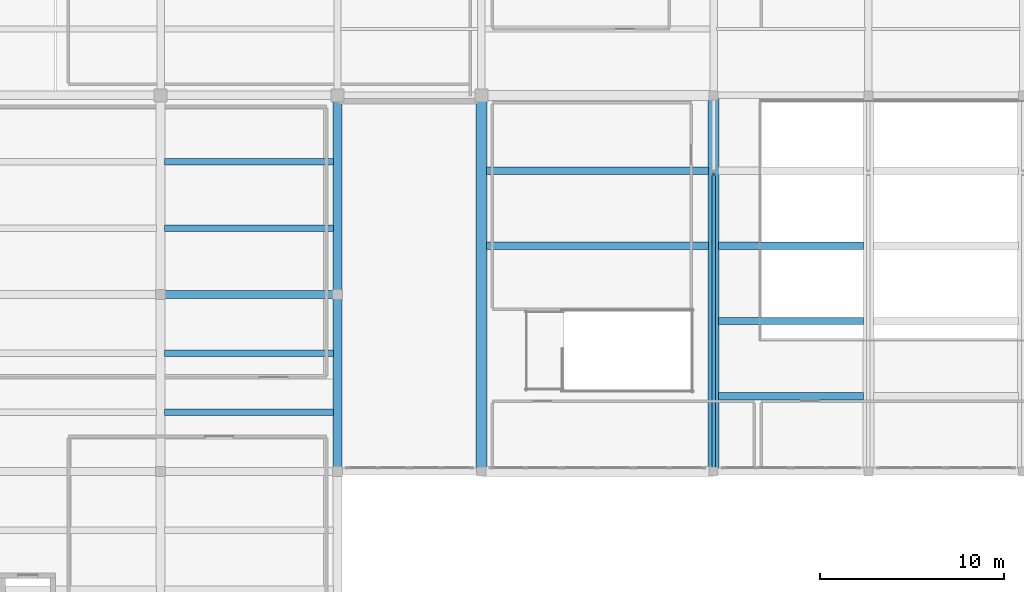
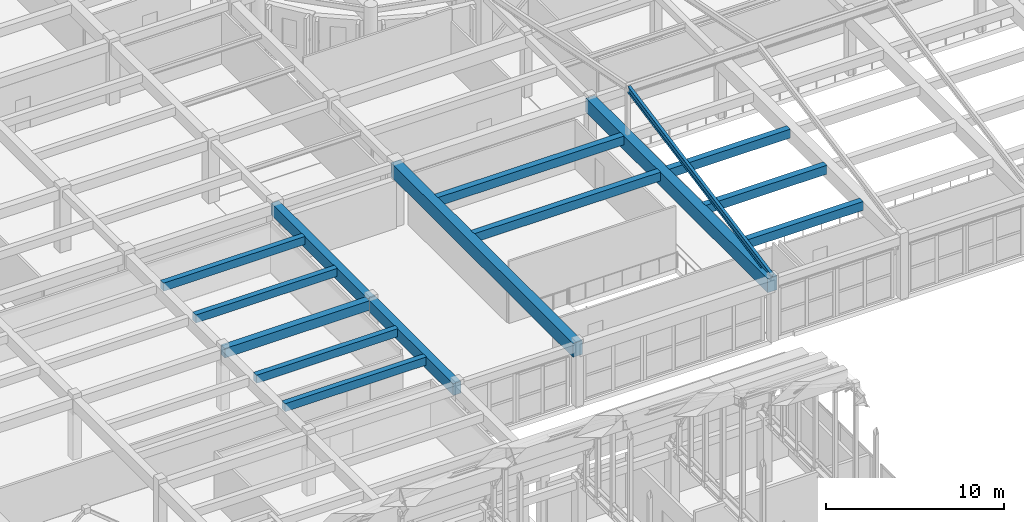
# One storey, part 24 of 91: 15 beams.
"""IFC4 building model written with IfcOpenShell, lengths in metres."""

from ifc_helpers import new_model, si_unit, direction, frame, origin, origin_2d, place, context, subcontext, project, spatial, rectangle, i_section, extrude, material, material_profile, profile_set, type_object, element, save


model = new_model("IFC4")

# Units and contexts
model_context = context("Model", 3, precision=1e-05, world=origin(), true_north=direction((0.0, 1.0)))
body_context = subcontext(model_context, "Body", "Model", "MODEL_VIEW")
ifc_project = project(units=[si_unit("LENGTHUNIT", "METRE"), si_unit("AREAUNIT", "SQUARE_METRE"), si_unit("VOLUMEUNIT", "CUBIC_METRE"), si_unit("PLANEANGLEUNIT", "RADIAN"), si_unit("MASSUNIT", "GRAM", prefix="KILO")], contexts=[model_context])

# Site, building, storey
site_placement = place(None, origin())
site = spatial("IfcSite", under=ifc_project, at=site_placement, CompositionType="ELEMENT")
building_placement = place(site_placement, origin())
building = spatial("IfcBuilding", under=site, at=building_placement, Name="Tarnavel Promenade Courthouse", CompositionType="ELEMENT")
storey_placement = place(building_placement, frame((0.0, 0.0, 9.89990234375)))
storey = spatial("IfcBuildingStorey", under=building, at=storey_placement, Name="L03", CompositionType="ELEMENT", Elevation=9.89990234375)

# Beams
ifc_material_1 = material(Name="Concrete C40/50", Category="concrete")
ifc_material_profile_1 = material_profile(ifc_material_1, rectangle(XDim=0.35009765625, YDim=0.550048828125, at=origin_2d()), Name="PT 350x550")
ifc_profile_set_1 = profile_set([ifc_material_profile_1], Name="Concrete C40/50")
beam_type_1 = type_object("IfcBeamType", Name="Concrete C40/50 BM-PT-350x550 (PT 350x550)", PredefinedType="JOIST", material=ifc_profile_set_1)
for number, where, z_axis, x_axis, name in (
    (1, (29.02001953125, 50.0, 3.920166015625), (1.0, 0.0, 0.0), (0.0, 1.0, 0.0), "L03 Secondary Floor Rib 1837"),
    (2, (29.02001953125, 53.199951171875, 3.920166015625), (1.0, 0.0, 0.0), (0.0, 1.0, 0.0), "L03 Secondary Floor Rib 1838"),
    (3, (29.02001953125, 60.0, 3.920166015625), (1.0, 0.0, 0.0), (0.0, 1.0, 0.0), "L03 Secondary Floor Rib 1845"),
    (4, (29.02001953125, 63.60009765625, 3.920166015625), (1.0, 0.0, 0.0), (0.0, 1.0, 0.0), "L03 Secondary Floor Rib 1846"),
):
    element("IfcBeam", number, at=place(storey_placement, frame(where, z_axis=z_axis, x_axis=x_axis)), inside=storey, type_object=beam_type_1, Name=name, PredefinedType="JOIST", context=body_context, shape_type="SweptSolid", body=[
        extrude(rectangle(XDim=0.35009765625, YDim=0.550048828125, at=origin_2d()), origin(), (0.0, 0.0, 1.0), 9.159912109375),
    ])
ifc_material_profile_2 = material_profile(ifc_material_1, rectangle(XDim=0.39990234375, YDim=0.60009765625, at=origin_2d()), Name="PT 400x600")
ifc_profile_set_2 = profile_set([ifc_material_profile_2], Name="Concrete C40/50")
beam_type_2 = type_object("IfcBeamType", Name="Concrete C40/50 BM-PT-400x600 (PT 400x600)", PredefinedType="JOIST", material=ifc_profile_set_2)
for number, where, z_axis, x_axis, name in (
    (5, (46.469970703125, 59.0400390625, 3.945068359375), (1.0, 0.0, 0.0), (0.0, 1.0, 0.0), "L03 Secondary Floor Rib 1912"),
    (6, (46.469970703125, 63.1201171875, 3.945068359375), (1.0, 0.0, 0.0), (0.0, 1.0, 0.0), "L03 Secondary Floor Rib 1913"),
):
    element("IfcBeam", number, at=place(storey_placement, frame(where, z_axis=z_axis, x_axis=x_axis)), inside=storey, type_object=beam_type_2, Name=name, PredefinedType="JOIST", context=body_context, shape_type="SweptSolid", body=[
        extrude(rectangle(XDim=0.39990234375, YDim=0.60009765625, at=origin_2d()), origin(), (0.0, 0.0, 1.0), 12.06005859375),
    ])
for number, where, z_axis, x_axis, name in (
    (7, (59.070068359375, 50.8798828125, 3.945068359375), (1.0, 0.0, 0.0), (0.0, 1.0, 0.0), "L03 Secondary Floor Rib 1914"),
    (8, (59.070068359375, 54.9599609375, 3.945068359375), (1.0, 0.0, 0.0), (0.0, 1.0, 0.0), "L03 Secondary Floor Rib 1915"),
    (9, (59.070068359375, 59.0400390625, 3.945068359375), (1.0, 0.0, 0.0), (0.0, 1.0, 0.0), "L03 Secondary Floor Rib 1916"),
):
    element("IfcBeam", number, at=place(storey_placement, frame(where, z_axis=z_axis, x_axis=x_axis)), inside=storey, type_object=beam_type_2, Name=name, PredefinedType="JOIST", context=body_context, shape_type="SweptSolid", body=[
        extrude(rectangle(XDim=0.39990234375, YDim=0.60009765625, at=origin_2d()), origin(), (0.0, 0.0, 1.0), 7.85986328125),
    ])
ifc_material_profile_3 = material_profile(ifc_material_1, rectangle(XDim=0.5, YDim=0.800048828125, at=origin_2d()), Name="PT 500x800")
ifc_profile_set_3 = profile_set([ifc_material_profile_3], Name="Concrete C40/50")
beam_type_3 = type_object("IfcBeamType", Name="Concrete C40/50 BM-PT-500x800 (PT 500x800)", PredefinedType="T_BEAM", material=ifc_profile_set_3)
beam_1_placement = place(storey_placement, frame((38.39990234375, 46.800048828125, 3.795166015625), z_axis=(0.0, 1.0, 0.0), x_axis=(-1.0, 0.0, 0.0)))
element("IfcBeam", 10, at=beam_1_placement, inside=storey, type_object=beam_type_3, Name="L03 Transverse Girder 1724", PredefinedType="T_BEAM", context=body_context, shape_type="SweptSolid", body=[
    extrude(rectangle(XDim=0.5, YDim=0.800048828125, at=origin_2d()), origin(), (0.0, 0.0, 1.0), 9.599853515625),
])
beam_2_placement = place(storey_placement, frame((38.39990234375, 56.39990234375, 3.795166015625), z_axis=(0.0, 1.0, 0.0), x_axis=(-1.0, 0.0, 0.0)))
element("IfcBeam", 11, at=beam_2_placement, inside=storey, type_object=beam_type_3, Name="L03 Transverse Girder 1725", PredefinedType="T_BEAM", context=body_context, shape_type="SweptSolid", body=[
    extrude(rectangle(XDim=0.5, YDim=0.800048828125, at=origin_2d()), origin(), (0.0, 0.0, 1.0), 10.800048828125),
])
ifc_material_profile_4 = material_profile(ifc_material_1, rectangle(XDim=0.60009765625, YDim=0.949951171875, at=origin_2d()), Name="PT 600x950")
ifc_profile_set_4 = profile_set([ifc_material_profile_4], Name="Concrete C40/50")
beam_type_4 = type_object("IfcBeamType", Name="Concrete C40/50 BM-PT-600x950 (PT 600x950)", PredefinedType="T_BEAM", material=ifc_profile_set_4)
for number, where, z_axis, x_axis, name in (
    (12, (46.199951171875, 46.800048828125, 3.77001953125), (0.0, 1.0, 0.0), (-1.0, 0.0, 0.0), "L03 Transverse Girder 1730"),
    (13, (58.800048828125, 46.800048828125, 3.77001953125), (0.0, 1.0, 0.0), (-1.0, 0.0, 0.0), "L03 Transverse Girder 1738"),
):
    element("IfcBeam", number, at=place(storey_placement, frame(where, z_axis=z_axis, x_axis=x_axis)), inside=storey, type_object=beam_type_4, Name=name, PredefinedType="T_BEAM", context=body_context, shape_type="SweptSolid", body=[
        extrude(rectangle(XDim=0.60009765625, YDim=0.949951171875, at=origin_2d()), origin(), (0.0, 0.0, 1.0), 20.39990234375),
    ])
ifc_material_profile_5 = material_profile(ifc_material_1, rectangle(XDim=0.449951171875, YDim=0.64990234375, at=origin_2d()), Name="RC 450x650")
ifc_profile_set_5 = profile_set([ifc_material_profile_5], Name="Concrete C40/50")
beam_type_5 = type_object("IfcBeamType", Name="Concrete C40/50 BM-RC-450x650 (RC 450x650)", PredefinedType="T_BEAM", material=ifc_profile_set_5)
beam_3_placement = place(storey_placement, frame((28.800048828125, 56.39990234375, 3.8701171875), z_axis=(1.0, 0.0, 0.0), x_axis=(0.0, 1.0, 0.0)))
element("IfcBeam", 14, at=beam_3_placement, inside=storey, type_object=beam_type_5, Name="L03 Primary Longitudinal Beam 1580", PredefinedType="T_BEAM", context=body_context, shape_type="SweptSolid", body=[
    extrude(rectangle(XDim=0.449951171875, YDim=0.64990234375, at=origin_2d()), origin(), (0.0, 0.0, 1.0), 9.599853515625),
])
ifc_material_2 = material(Name="Steel S355J2", Category="steel")
ifc_material_profile_6 = material_profile(ifc_material_2, i_section(OverallWidth=0.18994140625, OverallDepth=0.449951171875, WebThickness=0.009521484375, FlangeThickness=0.0146484375, FilletRadius=0.02099609375, at=origin_2d()), Name="IPE 450")
ifc_profile_set_6 = profile_set([ifc_material_profile_6], Name="Steel S355J2")
beam_type_6 = type_object("IfcBeamType", Name="Steel S355J2 BM-ST-IPE450 (IPE 450)", PredefinedType="BEAM", material=ifc_profile_set_6)
beam_4_placement = place(storey_placement, frame((58.800048828125, 46.800048828125, 4.239990234375), z_axis=(0.0, 0.981264451334, 0.192665711916), x_axis=(-1.0, 0.0, 0.0)))
element("IfcBeam", 15, at=beam_4_placement, inside=storey, type_object=beam_type_6, Name="Winter-Garden Roof Rafter South 58", PredefinedType="BEAM", context=body_context, shape_type="SweptSolid", body=[
    extrude(i_section(OverallWidth=0.18994140625, OverallDepth=0.449951171875, WebThickness=0.009521484375, FlangeThickness=0.0146484375, FilletRadius=0.02099609375, at=origin_2d()), origin(), (0.0, 0.0, 1.0), 16.40234375),
])

save(model, "model.ifc")
